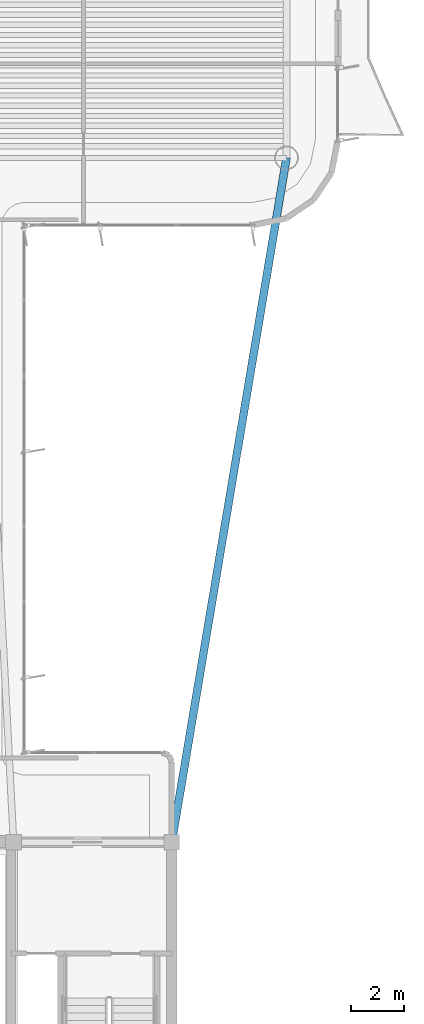
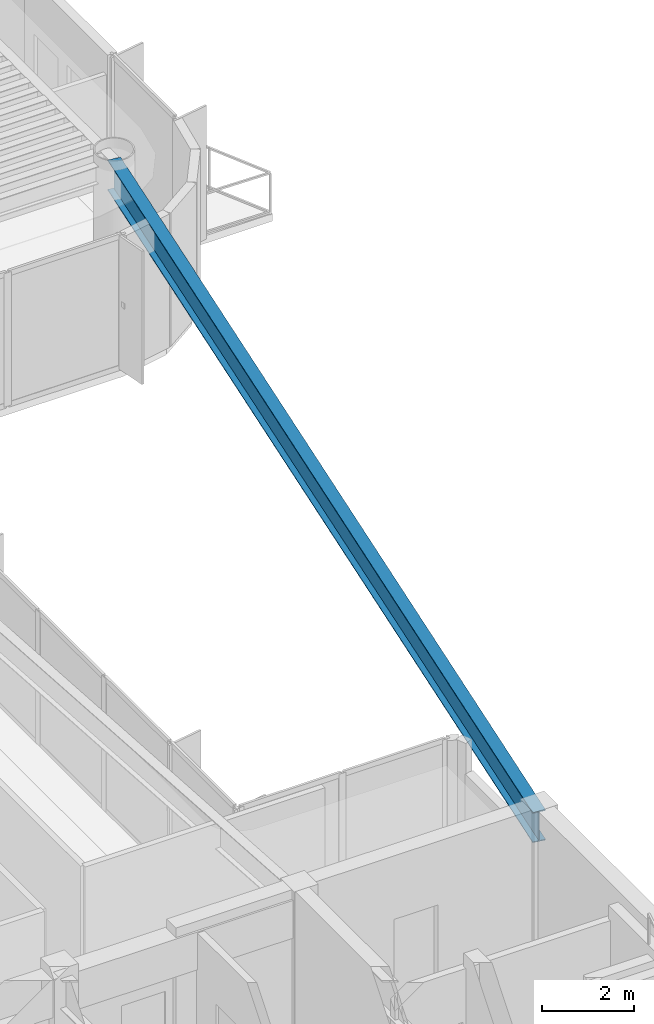
# One storey, part 4 of 16: 1 beam.
"""IFC4 building model written with IfcOpenShell, lengths in metres."""

from ifc_helpers import new_model, si_unit, direction, frame, origin, origin_2d, place, context, subcontext, project, spatial, i_section, extrude, source, transform, mapped, material, material_profile, profile_set, type_object, element, save


model = new_model("IFC4")

# Units and contexts
model_context = context("Model", 3, precision=1e-05, world=origin(), true_north=direction((0.0, 1.0)))
body_context = subcontext(model_context, "Body", "Model", "MODEL_VIEW")
ifc_project = project(units=[si_unit("LENGTHUNIT", "METRE"), si_unit("AREAUNIT", "SQUARE_METRE"), si_unit("VOLUMEUNIT", "CUBIC_METRE"), si_unit("PLANEANGLEUNIT", "RADIAN"), si_unit("MASSUNIT", "GRAM", prefix="KILO")], contexts=[model_context])

# Site, building, storey
site_placement = place(None, origin())
site = spatial("IfcSite", under=ifc_project, at=site_placement, CompositionType="ELEMENT")
building_placement = place(site_placement, origin())
building = spatial("IfcBuilding", under=site, at=building_placement, Name="Brelvock Crest Care Tower", CompositionType="ELEMENT")
storey_placement = place(building_placement, frame((0.0, 0.0, 238.139892578125)))
storey = spatial("IfcBuildingStorey", under=building, at=storey_placement, Name="L60", CompositionType="ELEMENT", Elevation=238.139892578125)

# Beam
ifc_material = material(Name="Steel Grade 350", Category="steel")
ifc_material_profile = material_profile(ifc_material, i_section(OverallWidth=0.300048828125, OverallDepth=0.800048828125, WebThickness=0.013916015625, FlangeThickness=0.02197265625, at=origin_2d()), Name="800WB192")
ifc_profile_set = profile_set([ifc_material_profile], Name="Steel Grade 350")
beam_type = type_object("IfcBeamType", Name="BM-G5", PredefinedType="BEAM", material=ifc_profile_set)
shared_shape = source(origin(), body_context, "Body", "SweptSolid", [
    extrude(i_section(OverallWidth=0.300048828125, OverallDepth=0.800048828125, WebThickness=0.013916015625, FlangeThickness=0.02197265625, at=origin_2d()), origin(), (0.0, 0.0, 1.0), 26.31201171875),
])
beam_placement = place(storey_placement, frame((48.0, 18.0, 3.130126953125), z_axis=(0.165327282709, 0.986238758918, 0.0), x_axis=(-0.986238758918, 0.165327282709, 0.0)))
element("IfcBeam", 1, at=beam_placement, inside=storey, type_object=beam_type, Name="BM-THRO-E-L60", PredefinedType="BEAM", context=body_context, shape_type="MappedRepresentation", body=[
    mapped(shared_shape, transform((0.0, 0.0, 0.0), x_axis=(1.0, 0.0, 0.0), y_axis=(0.0, 1.0, 0.0), z_axis=(0.0, 0.0, 1.0), scale=1.0)),
])

save(model, "model.ifc")
